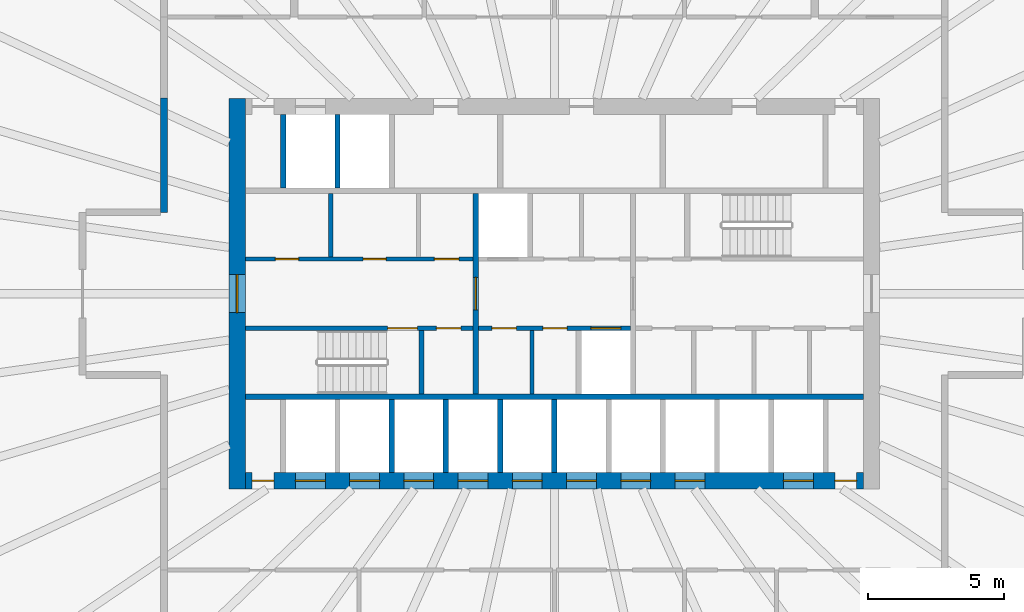
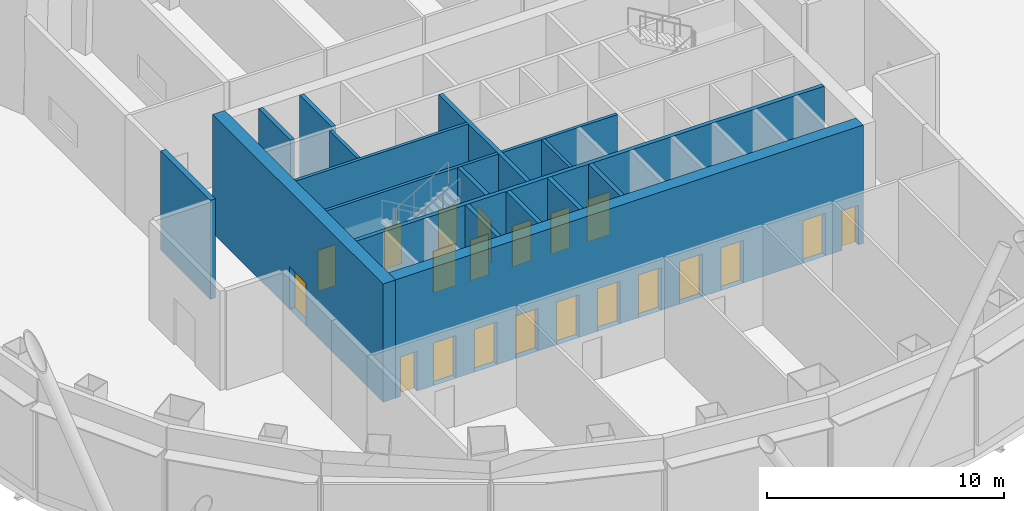
# One storey, part 4 of 13: 21 doors, 17 walls, 21 openings.
"""IFC4 building model written with IfcOpenShell, lengths in metres."""

from ifc_helpers import new_model, si_unit, direction, frame, frame_2d, origin, place, context, subcontext, project, spatial, rectangle, extrude, material, layer, layer_set, type_object, element, fill, save


model = new_model("IFC4")

# Units and contexts
model_context = context("Model", 3, precision=1e-05, world=origin(), true_north=direction((0.0, 1.0)))
body_context = subcontext(model_context, "Body", "Model", "MODEL_VIEW")
ifc_project = project(units=[si_unit("LENGTHUNIT", "METRE"), si_unit("AREAUNIT", "SQUARE_METRE"), si_unit("VOLUMEUNIT", "CUBIC_METRE"), si_unit("PLANEANGLEUNIT", "RADIAN"), si_unit("MASSUNIT", "GRAM", prefix="KILO")], contexts=[model_context])

# Site, building, storey
site_placement = place(None, origin())
site = spatial("IfcSite", under=ifc_project, at=site_placement, CompositionType="ELEMENT")
building_placement = place(site_placement, origin())
building = spatial("IfcBuilding", under=site, at=building_placement, Name="Siaravel Broadcast Tower", CompositionType="ELEMENT")
storey_placement = place(building_placement, frame((0.0, 0.0, 7.0)))
storey = spatial("IfcBuildingStorey", under=building, at=storey_placement, Name="L01", CompositionType="ELEMENT", Elevation=7.0)

# Walls
ifc_material_1 = material(Name="Concrete blockwork", Category="masonry")
ifc_layer_1 = layer(ifc_material_1, 0.14990234375)
ifc_layer_set_1 = layer_set([ifc_layer_1], Name="Concrete blockwork")
wall_type_1 = type_object("IfcWallType", Name="Core partition 150", PredefinedType="PARTITIONING", material=ifc_layer_set_1)
for number, where, z_axis, x_axis, name in (
    (1, (-8.2470703125, 1.35009765625, 0.0), (0.0, 0.0, 1.0), (0.0, 1.0, 0.0), "L01 core partition PNW0"),
    (2, (-0.827392578125, -3.699951171875, 0.0), (0.0, 0.0, 1.0), (0.0, 1.0, 0.0), "L01 core partition PSM0"),
):
    element("IfcWall", number, at=place(storey_placement, frame(where, z_axis=z_axis, x_axis=x_axis)), inside=storey, type_object=wall_type_1, Name=name, PredefinedType="PARTITIONING", context=body_context, shape_type="SweptSolid", body=[
        extrude(rectangle(XDim=2.349853515625, YDim=0.14990234375, at=frame_2d((1.1748046875, 0.0))), origin(), (0.0, 0.0, 1.0), 6.10009765625),
    ])

# Wall, opening, door
ifc_material_2 = material(Name="Concrete C60/75", Category="concrete")
ifc_layer_2 = layer(ifc_material_2, 0.60009765625)
ifc_layer_set_2 = layer_set([ifc_layer_2], Name="Concrete C60/75")
wall_type_2 = type_object("IfcWallType", Name="Core wall 600", PredefinedType="SHEAR", material=ifc_layer_set_2)
wall_1_placement = place(storey_placement, frame((-11.699951171875, -7.199951171875, 0.0), z_axis=(0.0, 0.0, 1.0), x_axis=(0.0, 1.0, 0.0)))
wall_1 = element("IfcWall", 3, at=wall_1_placement, inside=storey, type_object=wall_type_2, Name="L01 core wall OW", PredefinedType="SHEAR", context=body_context, shape_type="SweptSolid", body=[
    extrude(rectangle(XDim=14.39990234375, YDim=0.60009765625, at=frame_2d((7.199951171875, 0.0))), origin(), (0.0, 0.0, 1.0), 6.10009765625),
])
opening_1_placement = place(wall_1_placement, frame((6.5, 0.0, 0.0)))
opening_1 = element("IfcOpeningElement", 4, at=opening_1_placement, cuts=wall_1, Name="Opening L01-DX-W", PredefinedType="OPENING", context=body_context, shape_type="SweptSolid", body=[
    extrude(rectangle(XDim=1.39990234375, YDim=2.199951171875, at=frame_2d((0.699951171875, 1.10009765625))), frame((0.0, 0.31005859375, 0.0), z_axis=(0.0, -1.0, 0.0), x_axis=(1.0, 0.0, 0.0)), (0.0, 0.0, 1.0), 0.6201171875),
])
ifc_material_3 = material(Name="Steel", Category="steel")
door_type_1 = type_object("IfcDoorType", Name="Core exit door 1400", OperationType="DOUBLE_DOOR_SINGLE_SWING", PredefinedType="DOOR", material=ifc_material_3)
door_1_placement = place(opening_1_placement, origin())
door_1 = element("IfcDoor", 5, at=door_1_placement, inside=storey, type_object=door_type_1, Name="L01 door DX-W", OperationType="DOUBLE_DOOR_SINGLE_SWING", OverallHeight=2.199951171875, OverallWidth=1.39990234375, PredefinedType="DOOR", context=body_context, shape_type="SweptSolid", body=[
    extrude(rectangle(XDim=1.39990234375, YDim=2.199951171875, at=frame_2d((0.699951171875, 1.10009765625))), frame((0.0, 0.02490234375, 0.0), z_axis=(0.0, -1.0, 0.0), x_axis=(1.0, 0.0, 0.0)), (0.0, 0.0, 1.0), 0.050048828125),
])
fill(opening_1, door_1)

# Wall, openings, doors
wall_2_placement = place(storey_placement, frame((-11.39990234375, -6.89990234375, 0.0), z_axis=(0.0, 0.0, 1.0), x_axis=(1.0, 0.0, 0.0)))
wall_2 = element("IfcWall", 6, at=wall_2_placement, inside=storey, type_object=wall_type_2, Name="L01 core wall OS", PredefinedType="SHEAR", context=body_context, shape_type="SweptSolid", body=[
    extrude(rectangle(XDim=22.7998046875, YDim=0.60009765625, at=frame_2d((11.39990234375, 0.0))), origin(), (0.0, 0.0, 1.0), 6.10009765625),
])
opening_2_placement = place(wall_2_placement, frame((1.85009765625, 0.0, 0.0)))
opening_2 = element("IfcOpeningElement", 7, at=opening_2_placement, cuts=wall_2, Name="Opening LD-LP1-L01", PredefinedType="OPENING", context=body_context, shape_type="SweptSolid", body=[
    extrude(rectangle(XDim=1.10009765625, YDim=2.199951171875, at=frame_2d((0.550048828125, 1.10009765625))), frame((0.0, 0.31005859375, 0.0), z_axis=(0.0, -1.0, 0.0), x_axis=(1.0, 0.0, 0.0)), (0.0, 0.0, 1.0), 0.6201171875),
])
opening_3_placement = place(wall_2_placement, frame((3.85009765625, 0.0, 0.0)))
opening_3 = element("IfcOpeningElement", 8, at=opening_3_placement, cuts=wall_2, Name="Opening LD-LP2-L01", PredefinedType="OPENING", context=body_context, shape_type="SweptSolid", body=[
    extrude(rectangle(XDim=1.10009765625, YDim=2.199951171875, at=frame_2d((0.550048828125, 1.10009765625))), frame((0.0, 0.31005859375, 0.0), z_axis=(0.0, -1.0, 0.0), x_axis=(1.0, 0.0, 0.0)), (0.0, 0.0, 1.0), 0.6201171875),
])
opening_4_placement = place(wall_2_placement, frame((5.85009765625, 0.0, 0.0)))
opening_4 = element("IfcOpeningElement", 9, at=opening_4_placement, cuts=wall_2, Name="Opening LD-LP3-L01", PredefinedType="OPENING", context=body_context, shape_type="SweptSolid", body=[
    extrude(rectangle(XDim=1.10009765625, YDim=2.199951171875, at=frame_2d((0.550048828125, 1.10009765625))), frame((0.0, 0.31005859375, 0.0), z_axis=(0.0, -1.0, 0.0), x_axis=(1.0, 0.0, 0.0)), (0.0, 0.0, 1.0), 0.6201171875),
])
opening_5_placement = place(wall_2_placement, frame((7.85009765625, 0.0, 0.0)))
opening_5 = element("IfcOpeningElement", 10, at=opening_5_placement, cuts=wall_2, Name="Opening LD-LP4-L01", PredefinedType="OPENING", context=body_context, shape_type="SweptSolid", body=[
    extrude(rectangle(XDim=1.10009765625, YDim=2.199951171875, at=frame_2d((0.550048828125, 1.10009765625))), frame((0.0, 0.31005859375, 0.0), z_axis=(0.0, -1.0, 0.0), x_axis=(1.0, 0.0, 0.0)), (0.0, 0.0, 1.0), 0.6201171875),
])
opening_6_placement = place(wall_2_placement, frame((9.85009765625, 0.0, 0.0)))
opening_6 = element("IfcOpeningElement", 11, at=opening_6_placement, cuts=wall_2, Name="Opening LD-LP5-L01", PredefinedType="OPENING", context=body_context, shape_type="SweptSolid", body=[
    extrude(rectangle(XDim=1.10009765625, YDim=2.199951171875, at=frame_2d((0.550048828125, 1.10009765625))), frame((0.0, 0.31005859375, 0.0), z_axis=(0.0, -1.0, 0.0), x_axis=(1.0, 0.0, 0.0)), (0.0, 0.0, 1.0), 0.6201171875),
])
opening_7_placement = place(wall_2_placement, frame((11.85009765625, 0.0, 0.0)))
opening_7 = element("IfcOpeningElement", 12, at=opening_7_placement, cuts=wall_2, Name="Opening LD-LP6-L01", PredefinedType="OPENING", context=body_context, shape_type="SweptSolid", body=[
    extrude(rectangle(XDim=1.10009765625, YDim=2.199951171875, at=frame_2d((0.550048828125, 1.10009765625))), frame((0.0, 0.31005859375, 0.0), z_axis=(0.0, -1.0, 0.0), x_axis=(1.0, 0.0, 0.0)), (0.0, 0.0, 1.0), 0.6201171875),
])
opening_8_placement = place(wall_2_placement, frame((13.85009765625, 0.0, 0.0)))
opening_8 = element("IfcOpeningElement", 13, at=opening_8_placement, cuts=wall_2, Name="Opening LD-LP7-L01", PredefinedType="OPENING", context=body_context, shape_type="SweptSolid", body=[
    extrude(rectangle(XDim=1.10009765625, YDim=2.199951171875, at=frame_2d((0.550048828125, 1.10009765625))), frame((0.0, 0.31005859375, 0.0), z_axis=(0.0, -1.0, 0.0), x_axis=(1.0, 0.0, 0.0)), (0.0, 0.0, 1.0), 0.6201171875),
])
opening_9_placement = place(wall_2_placement, frame((15.85009765625, 0.0, 0.0)))
opening_9 = element("IfcOpeningElement", 14, at=opening_9_placement, cuts=wall_2, Name="Opening LD-LP8-L01", PredefinedType="OPENING", context=body_context, shape_type="SweptSolid", body=[
    extrude(rectangle(XDim=1.10009765625, YDim=2.199951171875, at=frame_2d((0.550048828125, 1.10009765625))), frame((0.0, 0.31005859375, 0.0), z_axis=(0.0, -1.0, 0.0), x_axis=(1.0, 0.0, 0.0)), (0.0, 0.0, 1.0), 0.6201171875),
])
opening_10_placement = place(wall_2_placement, frame((19.85009765625, 0.0, 0.0)))
opening_10 = element("IfcOpeningElement", 15, at=opening_10_placement, cuts=wall_2, Name="Opening LD-SV1-L01", PredefinedType="OPENING", context=body_context, shape_type="SweptSolid", body=[
    extrude(rectangle(XDim=1.10009765625, YDim=2.199951171875, at=frame_2d((0.550048828125, 1.10009765625))), frame((0.0, 0.31005859375, 0.0), z_axis=(0.0, -1.0, 0.0), x_axis=(1.0, 0.0, 0.0)), (0.0, 0.0, 1.0), 0.6201171875),
])
opening_11_placement = place(wall_2_placement, frame((0.25, 0.0, 0.0)))
opening_11 = element("IfcOpeningElement", 16, at=opening_11_placement, cuts=wall_2, Name="Opening L01-DRSW", PredefinedType="OPENING", context=body_context, shape_type="SweptSolid", body=[
    extrude(rectangle(XDim=0.800048828125, YDim=2.050048828125, at=frame_2d((0.39990234375, 1.02490234375))), frame((0.0, 0.31005859375, 0.0), z_axis=(0.0, -1.0, 0.0), x_axis=(1.0, 0.0, 0.0)), (0.0, 0.0, 1.0), 0.6201171875),
])
opening_12_placement = place(wall_2_placement, frame((21.75, 0.0, 0.0)))
opening_12 = element("IfcOpeningElement", 17, at=opening_12_placement, cuts=wall_2, Name="Opening L01-DRSE", PredefinedType="OPENING", context=body_context, shape_type="SweptSolid", body=[
    extrude(rectangle(XDim=0.800048828125, YDim=2.050048828125, at=frame_2d((0.39990234375, 1.02490234375))), frame((0.0, 0.31005859375, 0.0), z_axis=(0.0, -1.0, 0.0), x_axis=(1.0, 0.0, 0.0)), (0.0, 0.0, 1.0), 0.6201171875),
])
ifc_material_4 = material(Name="Stainless steel 316L", Category="steel")
door_type_2 = type_object("IfcDoorType", Name="Lift landing door 1100", OperationType="DOUBLE_DOOR_SLIDING", PredefinedType="DOOR", material=ifc_material_4)
door_2_placement = place(opening_2_placement, origin())
door_2 = element("IfcDoor", 18, at=door_2_placement, inside=storey, type_object=door_type_2, Name="Landing door LP1 L01", OperationType="DOUBLE_DOOR_SLIDING", OverallHeight=2.199951171875, OverallWidth=1.10009765625, PredefinedType="DOOR", context=body_context, shape_type="SweptSolid", body=[
    extrude(rectangle(XDim=1.10009765625, YDim=2.199951171875, at=frame_2d((0.550048828125, 1.10009765625))), frame((0.0, 0.02490234375, 0.0), z_axis=(0.0, -1.0, 0.0), x_axis=(1.0, 0.0, 0.0)), (0.0, 0.0, 1.0), 0.050048828125),
])
fill(opening_2, door_2)
door_3_placement = place(opening_3_placement, origin())
door_3 = element("IfcDoor", 19, at=door_3_placement, inside=storey, type_object=door_type_2, Name="Landing door LP2 L01", OperationType="DOUBLE_DOOR_SLIDING", OverallHeight=2.199951171875, OverallWidth=1.10009765625, PredefinedType="DOOR", context=body_context, shape_type="SweptSolid", body=[
    extrude(rectangle(XDim=1.10009765625, YDim=2.199951171875, at=frame_2d((0.550048828125, 1.10009765625))), frame((0.0, 0.02490234375, 0.0), z_axis=(0.0, -1.0, 0.0), x_axis=(1.0, 0.0, 0.0)), (0.0, 0.0, 1.0), 0.050048828125),
])
fill(opening_3, door_3)
door_4_placement = place(opening_4_placement, origin())
door_4 = element("IfcDoor", 20, at=door_4_placement, inside=storey, type_object=door_type_2, Name="Landing door LP3 L01", OperationType="DOUBLE_DOOR_SLIDING", OverallHeight=2.199951171875, OverallWidth=1.10009765625, PredefinedType="DOOR", context=body_context, shape_type="SweptSolid", body=[
    extrude(rectangle(XDim=1.10009765625, YDim=2.199951171875, at=frame_2d((0.550048828125, 1.10009765625))), frame((0.0, 0.02490234375, 0.0), z_axis=(0.0, -1.0, 0.0), x_axis=(1.0, 0.0, 0.0)), (0.0, 0.0, 1.0), 0.050048828125),
])
fill(opening_4, door_4)
door_5_placement = place(opening_5_placement, origin())
door_5 = element("IfcDoor", 21, at=door_5_placement, inside=storey, type_object=door_type_2, Name="Landing door LP4 L01", OperationType="DOUBLE_DOOR_SLIDING", OverallHeight=2.199951171875, OverallWidth=1.10009765625, PredefinedType="DOOR", context=body_context, shape_type="SweptSolid", body=[
    extrude(rectangle(XDim=1.10009765625, YDim=2.199951171875, at=frame_2d((0.550048828125, 1.10009765625))), frame((0.0, 0.02490234375, 0.0), z_axis=(0.0, -1.0, 0.0), x_axis=(1.0, 0.0, 0.0)), (0.0, 0.0, 1.0), 0.050048828125),
])
fill(opening_5, door_5)
door_6_placement = place(opening_6_placement, origin())
door_6 = element("IfcDoor", 22, at=door_6_placement, inside=storey, type_object=door_type_2, Name="Landing door LP5 L01", OperationType="DOUBLE_DOOR_SLIDING", OverallHeight=2.199951171875, OverallWidth=1.10009765625, PredefinedType="DOOR", context=body_context, shape_type="SweptSolid", body=[
    extrude(rectangle(XDim=1.10009765625, YDim=2.199951171875, at=frame_2d((0.550048828125, 1.10009765625))), frame((0.0, 0.02490234375, 0.0), z_axis=(0.0, -1.0, 0.0), x_axis=(1.0, 0.0, 0.0)), (0.0, 0.0, 1.0), 0.050048828125),
])
fill(opening_6, door_6)
door_7_placement = place(opening_7_placement, origin())
door_7 = element("IfcDoor", 23, at=door_7_placement, inside=storey, type_object=door_type_2, Name="Landing door LP6 L01", OperationType="DOUBLE_DOOR_SLIDING", OverallHeight=2.199951171875, OverallWidth=1.10009765625, PredefinedType="DOOR", context=body_context, shape_type="SweptSolid", body=[
    extrude(rectangle(XDim=1.10009765625, YDim=2.199951171875, at=frame_2d((0.550048828125, 1.10009765625))), frame((0.0, 0.02490234375, 0.0), z_axis=(0.0, -1.0, 0.0), x_axis=(1.0, 0.0, 0.0)), (0.0, 0.0, 1.0), 0.050048828125),
])
fill(opening_7, door_7)
door_8_placement = place(opening_8_placement, origin())
door_8 = element("IfcDoor", 24, at=door_8_placement, inside=storey, type_object=door_type_2, Name="Landing door LP7 L01", OperationType="DOUBLE_DOOR_SLIDING", OverallHeight=2.199951171875, OverallWidth=1.10009765625, PredefinedType="DOOR", context=body_context, shape_type="SweptSolid", body=[
    extrude(rectangle(XDim=1.10009765625, YDim=2.199951171875, at=frame_2d((0.550048828125, 1.10009765625))), frame((0.0, 0.02490234375, 0.0), z_axis=(0.0, -1.0, 0.0), x_axis=(1.0, 0.0, 0.0)), (0.0, 0.0, 1.0), 0.050048828125),
])
fill(opening_8, door_8)
door_9_placement = place(opening_9_placement, origin())
door_9 = element("IfcDoor", 25, at=door_9_placement, inside=storey, type_object=door_type_2, Name="Landing door LP8 L01", OperationType="DOUBLE_DOOR_SLIDING", OverallHeight=2.199951171875, OverallWidth=1.10009765625, PredefinedType="DOOR", context=body_context, shape_type="SweptSolid", body=[
    extrude(rectangle(XDim=1.10009765625, YDim=2.199951171875, at=frame_2d((0.550048828125, 1.10009765625))), frame((0.0, 0.02490234375, 0.0), z_axis=(0.0, -1.0, 0.0), x_axis=(1.0, 0.0, 0.0)), (0.0, 0.0, 1.0), 0.050048828125),
])
fill(opening_9, door_9)
door_type_3 = type_object("IfcDoorType", Name="Riser door 800", OperationType="SINGLE_SWING_LEFT", PredefinedType="DOOR", material=ifc_material_3)
door_10_placement = place(opening_11_placement, origin())
door_10 = element("IfcDoor", 26, at=door_10_placement, inside=storey, type_object=door_type_3, Name="L01 door DRSW", OperationType="SINGLE_SWING_LEFT", OverallHeight=2.050048828125, OverallWidth=0.800048828125, PredefinedType="DOOR", context=body_context, shape_type="SweptSolid", body=[
    extrude(rectangle(XDim=0.800048828125, YDim=2.050048828125, at=frame_2d((0.39990234375, 1.02490234375))), frame((0.0, 0.02490234375, 0.0), z_axis=(0.0, -1.0, 0.0), x_axis=(1.0, 0.0, 0.0)), (0.0, 0.0, 1.0), 0.050048828125),
])
fill(opening_11, door_10)
door_11_placement = place(opening_12_placement, origin())
door_11 = element("IfcDoor", 27, at=door_11_placement, inside=storey, type_object=door_type_3, Name="L01 door DRSE", OperationType="SINGLE_SWING_LEFT", OverallHeight=2.050048828125, OverallWidth=0.800048828125, PredefinedType="DOOR", context=body_context, shape_type="SweptSolid", body=[
    extrude(rectangle(XDim=0.800048828125, YDim=2.050048828125, at=frame_2d((0.39990234375, 1.02490234375))), frame((0.0, 0.02490234375, 0.0), z_axis=(0.0, -1.0, 0.0), x_axis=(1.0, 0.0, 0.0)), (0.0, 0.0, 1.0), 0.050048828125),
])
fill(opening_12, door_11)
door_type_4 = type_object("IfcDoorType", Name="Service lift landing door 1100", OperationType="DOUBLE_DOOR_SLIDING", PredefinedType="DOOR", material=ifc_material_4)
door_12_placement = place(opening_10_placement, origin())
door_12 = element("IfcDoor", 28, at=door_12_placement, inside=storey, type_object=door_type_4, Name="Landing door SV1 L01", OperationType="DOUBLE_DOOR_SLIDING", OverallHeight=2.199951171875, OverallWidth=1.10009765625, PredefinedType="DOOR", context=body_context, shape_type="SweptSolid", body=[
    extrude(rectangle(XDim=1.10009765625, YDim=2.199951171875, at=frame_2d((0.550048828125, 1.10009765625))), frame((0.0, 0.02490234375, 0.0), z_axis=(0.0, -1.0, 0.0), x_axis=(1.0, 0.0, 0.0)), (0.0, 0.0, 1.0), 0.050048828125),
])
fill(opening_10, door_12)

ifc_material_5 = material(Name="Gypsum board partition", Category="gypsum")
ifc_layer_3 = layer(ifc_material_5, 0.14990234375)
ifc_layer_set_3 = layer_set([ifc_layer_3], Name="Gypsum board partition")
wall_type_3 = type_object("IfcWallType", Name="Corridor wall 150", PredefinedType="PARTITIONING", material=ifc_layer_set_3)
wall_3_placement = place(storey_placement, frame((-11.39990234375, 1.27490234375, 0.0), z_axis=(0.0, 0.0, 1.0), x_axis=(1.0, 0.0, 0.0)))
wall_3 = element("IfcWall", 29, at=wall_3_placement, inside=storey, type_object=wall_type_3, Name="L01 core partition CNW", PredefinedType="PARTITIONING", context=body_context, shape_type="SweptSolid", body=[
    extrude(rectangle(XDim=8.39990234375, YDim=0.14990234375, at=frame_2d((4.199951171875, 0.0))), origin(), (0.0, 0.0, 1.0), 6.10009765625),
])
opening_13_placement = place(wall_3_placement, frame((1.114013671875, 0.0, 0.0)))
opening_13 = element("IfcOpeningElement", 30, at=opening_13_placement, cuts=wall_3, Name="Opening L01-DNW0", PredefinedType="OPENING", context=body_context, shape_type="SweptSolid", body=[
    extrude(rectangle(XDim=0.85009765625, YDim=2.10009765625, at=frame_2d((0.425048828125, 1.050048828125))), frame((0.0, 0.0849609375, 0.0), z_axis=(0.0, -1.0, 0.0), x_axis=(1.0, 0.0, 0.0)), (0.0, 0.0, 1.0), 0.169921875),
])
opening_14_placement = place(wall_3_placement, frame((4.342041015625, 0.0, 0.0)))
opening_14 = element("IfcOpeningElement", 31, at=opening_14_placement, cuts=wall_3, Name="Opening L01-DNW1", PredefinedType="OPENING", context=body_context, shape_type="SweptSolid", body=[
    extrude(rectangle(XDim=0.85009765625, YDim=2.10009765625, at=frame_2d((0.425048828125, 1.050048828125))), frame((0.0, 0.0849609375, 0.0), z_axis=(0.0, -1.0, 0.0), x_axis=(1.0, 0.0, 0.0)), (0.0, 0.0, 1.0), 0.169921875),
])
opening_15_placement = place(wall_3_placement, frame((6.97802734375, 0.0, 0.0)))
opening_15 = element("IfcOpeningElement", 32, at=opening_15_placement, cuts=wall_3, Name="Opening L01-DNW2", PredefinedType="OPENING", context=body_context, shape_type="SweptSolid", body=[
    extrude(rectangle(XDim=0.89990234375, YDim=2.10009765625, at=frame_2d((0.449951171875, 1.050048828125))), frame((0.0, 0.0849609375, 0.0), z_axis=(0.0, -1.0, 0.0), x_axis=(1.0, 0.0, 0.0)), (0.0, 0.0, 1.0), 0.169921875),
])
ifc_material_6 = material(Name="Timber veneer", Category="wood")
door_type_5 = type_object("IfcDoorType", Name="Core room door 900", OperationType="SINGLE_SWING_LEFT", PredefinedType="DOOR", material=ifc_material_6)
door_13_placement = place(opening_15_placement, origin())
door_13 = element("IfcDoor", 33, at=door_13_placement, inside=storey, type_object=door_type_5, Name="L01 door DNW2", OperationType="SINGLE_SWING_LEFT", OverallHeight=2.10009765625, OverallWidth=0.89990234375, PredefinedType="DOOR", context=body_context, shape_type="SweptSolid", body=[
    extrude(rectangle(XDim=0.89990234375, YDim=2.10009765625, at=frame_2d((0.449951171875, 1.050048828125))), frame((0.0, 0.02490234375, 0.0), z_axis=(0.0, -1.0, 0.0), x_axis=(1.0, 0.0, 0.0)), (0.0, 0.0, 1.0), 0.050048828125),
])
fill(opening_15, door_13)
door_type_6 = type_object("IfcDoorType", Name="Core toilet door 850", OperationType="SINGLE_SWING_LEFT", PredefinedType="DOOR", material=ifc_material_6)
door_14_placement = place(opening_13_placement, origin())
door_14 = element("IfcDoor", 34, at=door_14_placement, inside=storey, type_object=door_type_6, Name="L01 door DNW0", OperationType="SINGLE_SWING_LEFT", OverallHeight=2.10009765625, OverallWidth=0.85009765625, PredefinedType="DOOR", context=body_context, shape_type="SweptSolid", body=[
    extrude(rectangle(XDim=0.85009765625, YDim=2.10009765625, at=frame_2d((0.425048828125, 1.050048828125))), frame((0.0, 0.02490234375, 0.0), z_axis=(0.0, -1.0, 0.0), x_axis=(1.0, 0.0, 0.0)), (0.0, 0.0, 1.0), 0.050048828125),
])
fill(opening_13, door_14)
door_15_placement = place(opening_14_placement, origin())
door_15 = element("IfcDoor", 35, at=door_15_placement, inside=storey, type_object=door_type_6, Name="L01 door DNW1", OperationType="SINGLE_SWING_LEFT", OverallHeight=2.10009765625, OverallWidth=0.85009765625, PredefinedType="DOOR", context=body_context, shape_type="SweptSolid", body=[
    extrude(rectangle(XDim=0.85009765625, YDim=2.10009765625, at=frame_2d((0.425048828125, 1.050048828125))), frame((0.0, 0.02490234375, 0.0), z_axis=(0.0, -1.0, 0.0), x_axis=(1.0, 0.0, 0.0)), (0.0, 0.0, 1.0), 0.050048828125),
])
fill(opening_14, door_15)

ifc_layer_4 = layer(ifc_material_2, 0.14990234375)
ifc_layer_set_4 = layer_set([ifc_layer_4], Name="Concrete C60/75")
wall_type_4 = type_object("IfcWallType", Name="Shaft wall 150", PredefinedType="SHEAR", material=ifc_layer_set_4)
wall_4_placement = place(storey_placement, frame((-11.39990234375, -1.27490234375, 0.0), z_axis=(0.0, 0.0, 1.0), x_axis=(1.0, 0.0, 0.0)))
wall_4 = element("IfcWall", 36, at=wall_4_placement, inside=storey, type_object=wall_type_4, Name="L01 core wall CSW", PredefinedType="SHEAR", context=body_context, shape_type="SweptSolid", body=[
    extrude(rectangle(XDim=8.39990234375, YDim=0.14990234375, at=frame_2d((4.199951171875, 0.0))), origin(), (0.0, 0.0, 1.0), 6.10009765625),
])
opening_16_placement = place(wall_4_placement, frame((5.25, 0.0, 0.0)))
opening_16 = element("IfcOpeningElement", 37, at=opening_16_placement, cuts=wall_4, Name="Opening L01-DS-1", PredefinedType="OPENING", context=body_context, shape_type="SweptSolid", body=[
    extrude(rectangle(XDim=1.10009765625, YDim=2.14990234375, at=frame_2d((0.550048828125, 1.074951171875))), frame((0.0, 0.0849609375, 0.0), z_axis=(0.0, -1.0, 0.0), x_axis=(1.0, 0.0, 0.0)), (0.0, 0.0, 1.0), 0.169921875),
])
opening_17_placement = place(wall_4_placement, frame((7.050048828125, 0.0, 0.0)))
opening_17 = element("IfcOpeningElement", 38, at=opening_17_placement, cuts=wall_4, Name="Opening L01-DSW0", PredefinedType="OPENING", context=body_context, shape_type="SweptSolid", body=[
    extrude(rectangle(XDim=0.89990234375, YDim=2.10009765625, at=frame_2d((0.449951171875, 1.050048828125))), frame((0.0, 0.0849609375, 0.0), z_axis=(0.0, -1.0, 0.0), x_axis=(1.0, 0.0, 0.0)), (0.0, 0.0, 1.0), 0.169921875),
])
door_16_placement = place(opening_17_placement, origin())
door_16 = element("IfcDoor", 39, at=door_16_placement, inside=storey, type_object=door_type_5, Name="L01 door DSW0", OperationType="SINGLE_SWING_LEFT", OverallHeight=2.10009765625, OverallWidth=0.89990234375, PredefinedType="DOOR", context=body_context, shape_type="SweptSolid", body=[
    extrude(rectangle(XDim=0.89990234375, YDim=2.10009765625, at=frame_2d((0.449951171875, 1.050048828125))), frame((0.0, 0.02490234375, 0.0), z_axis=(0.0, -1.0, 0.0), x_axis=(1.0, 0.0, 0.0)), (0.0, 0.0, 1.0), 0.050048828125),
])
fill(opening_17, door_16)
door_type_7 = type_object("IfcDoorType", Name="Stair door 1100", OperationType="SINGLE_SWING_LEFT", PredefinedType="DOOR", material=ifc_material_3)
door_17_placement = place(opening_16_placement, origin())
door_17 = element("IfcDoor", 40, at=door_17_placement, inside=storey, type_object=door_type_7, Name="L01 door DS-1", OperationType="SINGLE_SWING_LEFT", OverallHeight=2.14990234375, OverallWidth=1.10009765625, PredefinedType="DOOR", context=body_context, shape_type="SweptSolid", body=[
    extrude(rectangle(XDim=1.10009765625, YDim=2.14990234375, at=frame_2d((0.550048828125, 1.074951171875))), frame((0.0, 0.02490234375, 0.0), z_axis=(0.0, -1.0, 0.0), x_axis=(1.0, 0.0, 0.0)), (0.0, 0.0, 1.0), 0.050048828125),
])
fill(opening_16, door_17)

wall_5_placement = place(storey_placement, frame((-2.800048828125, -1.27490234375, 0.0), z_axis=(0.0, 0.0, 1.0), x_axis=(1.0, 0.0, 0.0)))
wall_5 = element("IfcWall", 41, at=wall_5_placement, inside=storey, type_object=wall_type_4, Name="L01 core wall CSM", PredefinedType="SHEAR", context=body_context, shape_type="SweptSolid", body=[
    extrude(rectangle(XDim=5.60009765625, YDim=0.14990234375, at=frame_2d((2.800048828125, 0.0))), origin(), (0.0, 0.0, 1.0), 6.10009765625),
])
opening_18_placement = place(wall_5_placement, frame((4.14990234375, 0.0, 0.0)))
opening_18 = element("IfcOpeningElement", 42, at=opening_18_placement, cuts=wall_5, Name="Opening LD-FL2-L01", PredefinedType="OPENING", context=body_context, shape_type="SweptSolid", body=[
    extrude(rectangle(XDim=1.10009765625, YDim=2.199951171875, at=frame_2d((0.550048828125, 1.10009765625))), frame((0.0, 0.0849609375, 0.0), z_axis=(0.0, -1.0, 0.0), x_axis=(1.0, 0.0, 0.0)), (0.0, 0.0, 1.0), 0.169921875),
])
opening_19_placement = place(wall_5_placement, frame((0.498779296875, 0.0, 0.0)))
opening_19 = element("IfcOpeningElement", 43, at=opening_19_placement, cuts=wall_5, Name="Opening L01-DSM0", PredefinedType="OPENING", context=body_context, shape_type="SweptSolid", body=[
    extrude(rectangle(XDim=0.89990234375, YDim=2.10009765625, at=frame_2d((0.449951171875, 1.050048828125))), frame((0.0, 0.0849609375, 0.0), z_axis=(0.0, -1.0, 0.0), x_axis=(1.0, 0.0, 0.0)), (0.0, 0.0, 1.0), 0.169921875),
])
opening_20_placement = place(wall_5_placement, frame((2.373779296875, 0.0, 0.0)))
opening_20 = element("IfcOpeningElement", 44, at=opening_20_placement, cuts=wall_5, Name="Opening L01-DSM1", PredefinedType="OPENING", context=body_context, shape_type="SweptSolid", body=[
    extrude(rectangle(XDim=0.89990234375, YDim=2.10009765625, at=frame_2d((0.449951171875, 1.050048828125))), frame((0.0, 0.0849609375, 0.0), z_axis=(0.0, -1.0, 0.0), x_axis=(1.0, 0.0, 0.0)), (0.0, 0.0, 1.0), 0.169921875),
])
door_18_placement = place(opening_19_placement, origin())
door_18 = element("IfcDoor", 45, at=door_18_placement, inside=storey, type_object=door_type_5, Name="L01 door DSM0", OperationType="SINGLE_SWING_LEFT", OverallHeight=2.10009765625, OverallWidth=0.89990234375, PredefinedType="DOOR", context=body_context, shape_type="SweptSolid", body=[
    extrude(rectangle(XDim=0.89990234375, YDim=2.10009765625, at=frame_2d((0.449951171875, 1.050048828125))), frame((0.0, 0.02490234375, 0.0), z_axis=(0.0, -1.0, 0.0), x_axis=(1.0, 0.0, 0.0)), (0.0, 0.0, 1.0), 0.050048828125),
])
fill(opening_19, door_18)
door_19_placement = place(opening_20_placement, origin())
door_19 = element("IfcDoor", 46, at=door_19_placement, inside=storey, type_object=door_type_5, Name="L01 door DSM1", OperationType="SINGLE_SWING_LEFT", OverallHeight=2.10009765625, OverallWidth=0.89990234375, PredefinedType="DOOR", context=body_context, shape_type="SweptSolid", body=[
    extrude(rectangle(XDim=0.89990234375, YDim=2.10009765625, at=frame_2d((0.449951171875, 1.050048828125))), frame((0.0, 0.02490234375, 0.0), z_axis=(0.0, -1.0, 0.0), x_axis=(1.0, 0.0, 0.0)), (0.0, 0.0, 1.0), 0.050048828125),
])
fill(opening_20, door_19)
door_type_8 = type_object("IfcDoorType", Name="Firefighting lift landing door 1100", OperationType="DOUBLE_DOOR_SLIDING", PredefinedType="DOOR", material=ifc_material_4)
door_20_placement = place(opening_18_placement, origin())
door_20 = element("IfcDoor", 47, at=door_20_placement, inside=storey, type_object=door_type_8, Name="Landing door FL2 L01", OperationType="DOUBLE_DOOR_SLIDING", OverallHeight=2.199951171875, OverallWidth=1.10009765625, PredefinedType="DOOR", context=body_context, shape_type="SweptSolid", body=[
    extrude(rectangle(XDim=1.10009765625, YDim=2.199951171875, at=frame_2d((0.550048828125, 1.10009765625))), frame((0.0, 0.02490234375, 0.0), z_axis=(0.0, -1.0, 0.0), x_axis=(1.0, 0.0, 0.0)), (0.0, 0.0, 1.0), 0.050048828125),
])
fill(opening_18, door_20)

# Walls
ifc_layer_5 = layer(ifc_material_2, 0.199951171875)
ifc_layer_set_5 = layer_set([ifc_layer_5], Name="Concrete C60/75")
wall_type_5 = type_object("IfcWallType", Name="Shaft wall 200", PredefinedType="SHEAR", material=ifc_layer_set_5)
wall_6_placement = place(storey_placement, frame((-11.39990234375, -3.800048828125, 0.0), z_axis=(0.0, 0.0, 1.0), x_axis=(1.0, 0.0, 0.0)))
element("IfcWall", 48, at=wall_6_placement, inside=storey, type_object=wall_type_5, Name="L01 core wall BS", PredefinedType="SHEAR", context=body_context, shape_type="SweptSolid", body=[
    extrude(rectangle(XDim=22.7998046875, YDim=0.199951171875, at=frame_2d((11.39990234375, 0.0))), origin(), (0.0, 0.0, 1.0), 6.10009765625),
])
for number, where, z_axis, x_axis, name in (
    (49, (-6.0, -6.60009765625, 0.0), (0.0, 0.0, 1.0), (0.0, 1.0, 0.0), "L01 core wall SWS2"),
    (50, (-4.0, -6.60009765625, 0.0), (0.0, 0.0, 1.0), (0.0, 1.0, 0.0), "L01 core wall SWS3"),
    (51, (-2.0, -6.60009765625, 0.0), (0.0, 0.0, 1.0), (0.0, 1.0, 0.0), "L01 core wall SWS4"),
    (52, (0.0, -6.60009765625, 0.0), (0.0, 0.0, 1.0), (0.0, 1.0, 0.0), "L01 core wall SWS5"),
    (53, (-10.0, 3.89990234375, 0.0), (0.0, 0.0, 1.0), (0.0, 1.0, 0.0), "L01 core wall SWN0"),
    (54, (-8.0, 3.89990234375, 0.0), (0.0, 0.0, 1.0), (0.0, 1.0, 0.0), "L01 core wall SWN1"),
):
    element("IfcWall", number, at=place(storey_placement, frame(where, z_axis=z_axis, x_axis=x_axis)), inside=storey, type_object=wall_type_5, Name=name, PredefinedType="SHEAR", context=body_context, shape_type="SweptSolid", body=[
        extrude(rectangle(XDim=2.7001953125, YDim=0.199951171875, at=frame_2d((1.35009765625, 0.0))), origin(), (0.0, 0.0, 1.0), 6.10009765625),
    ])

# Wall, opening, door
wall_7_placement = place(storey_placement, frame((-2.89990234375, -3.699951171875, 0.0), z_axis=(0.0, 0.0, 1.0), x_axis=(0.0, 1.0, 0.0)))
wall_7 = element("IfcWall", 55, at=wall_7_placement, inside=storey, type_object=wall_type_5, Name="L01 core wall LW", PredefinedType="SHEAR", context=body_context, shape_type="SweptSolid", body=[
    extrude(rectangle(XDim=7.39990234375, YDim=0.199951171875, at=frame_2d((3.699951171875, 0.0))), origin(), (0.0, 0.0, 1.0), 6.10009765625),
])
opening_21_placement = place(wall_7_placement, frame((3.10009765625, 0.0, 0.0)))
opening_21 = element("IfcOpeningElement", 56, at=opening_21_placement, cuts=wall_7, Name="Opening L01-DL-W", PredefinedType="OPENING", context=body_context, shape_type="SweptSolid", body=[
    extrude(rectangle(XDim=1.199951171875, YDim=2.199951171875, at=frame_2d((0.60009765625, 1.10009765625))), frame((0.0, 0.10986328125, 0.0), z_axis=(0.0, -1.0, 0.0), x_axis=(1.0, 0.0, 0.0)), (0.0, 0.0, 1.0), 0.219970703125),
])
door_type_9 = type_object("IfcDoorType", Name="Firefighting lobby door 1200", OperationType="SINGLE_SWING_LEFT", PredefinedType="DOOR", material=ifc_material_3)
door_21_placement = place(opening_21_placement, origin())
door_21 = element("IfcDoor", 57, at=door_21_placement, inside=storey, type_object=door_type_9, Name="L01 door DL-W", OperationType="SINGLE_SWING_LEFT", OverallHeight=2.199951171875, OverallWidth=1.199951171875, PredefinedType="DOOR", context=body_context, shape_type="SweptSolid", body=[
    extrude(rectangle(XDim=1.199951171875, YDim=2.199951171875, at=frame_2d((0.60009765625, 1.10009765625))), frame((0.0, 0.02490234375, 0.0), z_axis=(0.0, -1.0, 0.0), x_axis=(1.0, 0.0, 0.0)), (0.0, 0.0, 1.0), 0.050048828125),
])
fill(opening_21, door_21)

# Walls
wall_8_placement = place(storey_placement, frame((-4.89990234375, -3.699951171875, 0.0), z_axis=(0.0, 0.0, 1.0), x_axis=(0.0, 1.0, 0.0)))
element("IfcWall", 58, at=wall_8_placement, inside=storey, type_object=wall_type_5, Name="L01 core wall ST1E", PredefinedType="SHEAR", context=body_context, shape_type="SweptSolid", body=[
    extrude(rectangle(XDim=2.349853515625, YDim=0.199951171875, at=frame_2d((1.1748046875, 0.0))), origin(), (0.0, 0.0, 1.0), 6.10009765625),
])
ifc_layer_6 = layer(ifc_material_1, 0.25)
ifc_layer_set_6 = layer_set([ifc_layer_6], Name="Concrete blockwork")
wall_type_6 = type_object("IfcWallType", Name="Studio wall 250", PredefinedType="PARTITIONING", material=ifc_layer_set_6)
wall_9_placement = place(storey_placement, frame((-14.39990234375, 7.2119140625, 0.0), z_axis=(0.0, 0.0, 1.0), x_axis=(0.0, -1.0, 0.0)))
element("IfcWall", 59, at=wall_9_placement, inside=storey, type_object=wall_type_6, Name="L01 partition 27", PredefinedType="PARTITIONING", context=body_context, shape_type="SweptSolid", body=[
    extrude(rectangle(XDim=4.2119140625, YDim=0.25, at=frame_2d((2.10595703125, 0.0))), origin(), (0.0, 0.0, 1.0), 5.10009765625),
])

save(model, "model.ifc")
